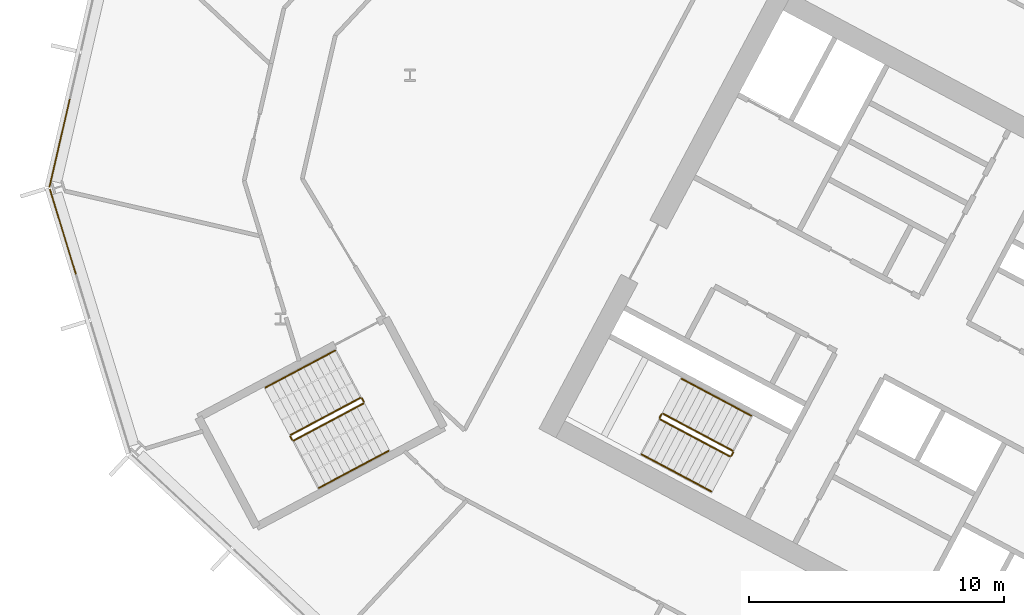
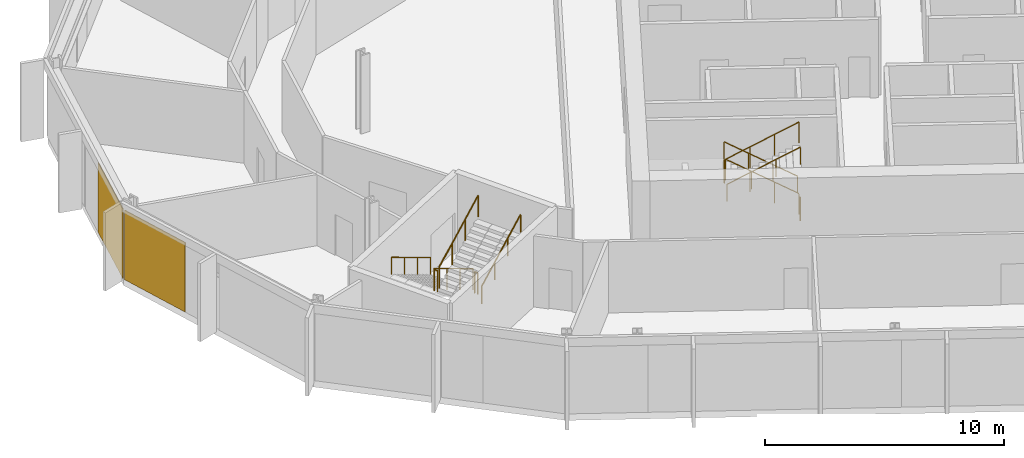
# One storey, part 21 of 28: 12 railings, 2 coverings, 2 elements without a shape of their own.
"""IFC4 building model written with IfcOpenShell, lengths in metres."""

import ifcopenshell
import ifcopenshell.guid

model = None  # the IFC model being written
_history = None  # IfcOwnerHistory: only IFC2X3 demands one
_inside = {}  # id of a spatial element -> (the spatial element, [elements in it])
_under = {}  # id of a project, library or spatial element -> (it, [spatial elements below it])
_declared = {}  # id of a project -> (the project, [libraries it declares])
_typed = {}  # id of a type object -> (the type object, [elements of that type])
_made_of = {}  # id of a material, layer set ... -> (it, [elements and type objects made of it])


def new_model(schema):
    """Start an empty IFC model of exactly this schema.

    Asked for "IFC4X3", IfcOpenShell would pick the latest addendum, in which some entities
    have other attributes; the version numbers below select the first issue.
    IFC2X3 requires an IfcOwnerHistory on every rooted entity: one is made here for all.
    """
    global model, _history
    if schema == "IFC4X3":
        model = ifcopenshell.file(schema_version=(4, 3, 0, 0))
    else:
        model = ifcopenshell.file(schema=schema)
    _inside.clear()
    _under.clear()
    _declared.clear()
    _typed.clear()
    _made_of.clear()
    _history = None
    if model.schema == "IFC2X3":
        org = make("IfcOrganization", Name="unknown")
        user = make(
            "IfcPersonAndOrganization",
            ThePerson=make("IfcPerson", FamilyName="unknown"),
            TheOrganization=org,
        )
        app = make(
            "IfcApplication",
            ApplicationDeveloper=org,
            Version="unknown",
            ApplicationFullName="unknown",
            ApplicationIdentifier="unknown",
        )
        _history = make(
            "IfcOwnerHistory",
            OwningUser=user,
            OwningApplication=app,
            ChangeAction="ADDED",
            CreationDate=0,
        )
    return model


def make(cls, **values):
    """One entity of the class cls with the attributes given. An attribute that is None is left unset."""
    return model.create_entity(
        cls, **{name: value for name, value in values.items() if value is not None}
    )


def rooted(cls, **values):
    """An entity with a GlobalId (a new one), such as an element, a storey or a relation."""
    return make(cls, GlobalId=ifcopenshell.guid.new(), OwnerHistory=_history, **values)


def si_unit(unit_type, name, prefix=None):
    """IfcSIUnit, for example si_unit("LENGTHUNIT", "METRE", prefix="MILLI")."""
    return make("IfcSIUnit", UnitType=unit_type, Prefix=prefix, Name=name)


def assignment(units):
    """IfcUnitAssignment: the units of a project."""
    return None if units is None else make("IfcUnitAssignment", Units=units)


def point(xyz):
    """IfcCartesianPoint."""
    return None if xyz is None else make("IfcCartesianPoint", Coordinates=xyz)


def direction(xyz):
    """IfcDirection."""
    return None if xyz is None else make("IfcDirection", DirectionRatios=xyz)


def frame(location, z_axis=None, x_axis=None):
    """IfcAxis2Placement3D, a coordinate frame: its origin and axes. An axis left out is left unset."""
    return make(
        "IfcAxis2Placement3D",
        Location=point(location),
        Axis=direction(z_axis),
        RefDirection=direction(x_axis),
    )


def frame_2d(location, x_axis=None):
    """IfcAxis2Placement2D, a coordinate frame in the plane: its origin and x axis."""
    return make(
        "IfcAxis2Placement2D", Location=point(location), RefDirection=direction(x_axis)
    )


def origin():
    """The frame at (0, 0, 0) with its axes left unset."""
    return frame((0.0, 0.0, 0.0))


def origin_2d():
    """The frame at (0, 0) in the plane with its x axis left unset."""
    return frame_2d((0.0, 0.0))


def place(relative_to, where):
    """IfcLocalPlacement: puts the frame where relative to a parent placement (None: the world)."""
    return make(
        "IfcLocalPlacement", PlacementRelTo=relative_to, RelativePlacement=where
    )


def context(
    kind, dimensions, precision=None, world=None, true_north=None, identifier=None
):
    """IfcGeometricRepresentationContext, for example the 3D "Model" context."""
    return make(
        "IfcGeometricRepresentationContext",
        ContextIdentifier=identifier,
        ContextType=kind,
        CoordinateSpaceDimension=dimensions,
        Precision=precision,
        WorldCoordinateSystem=world,
        TrueNorth=true_north,
    )


def subcontext(parent, identifier, kind, view, scale=None):
    """IfcGeometricRepresentationSubContext, for example "Body" below "Model"."""
    return make(
        "IfcGeometricRepresentationSubContext",
        ContextIdentifier=identifier,
        ContextType=kind,
        ParentContext=parent,
        TargetScale=scale,
        TargetView=view,
    )


def project(units=None, contexts=None):
    """IfcProject with its units and contexts."""
    return rooted(
        "IfcProject",
        Name="project",
        RepresentationContexts=contexts,
        UnitsInContext=assignment(units),
    )


def spatial(cls, under=None, at=None, **own):
    """A site, building, storey or space (cls), placed at a placement, below another one or the project."""
    s = rooted(cls, ObjectPlacement=at, **own)
    if under is not None:
        _under.setdefault(under.id(), (under, []))[1].append(s)
    return s


def polyline(points):
    """IfcPolyline through the points."""
    return make("IfcPolyline", Points=[point(p) for p in points])


def profile(cls, at=None, kind="AREA", **sizes):
    """A parametric profile (cls). Its sizes go by their IFC names, for example OverallWidth=200.0."""
    return make(cls, ProfileType=kind, Position=at, **sizes)


def rectangle(**sizes):
    """IfcRectangleProfileDef."""
    return profile("IfcRectangleProfileDef", **sizes)


def outline(outer, holes=None, kind="AREA"):
    """IfcArbitraryClosedProfileDef: a profile drawn as a closed curve; with holes, ...WithVoids."""
    if holes is None:
        return make("IfcArbitraryClosedProfileDef", ProfileType=kind, OuterCurve=outer)
    return make(
        "IfcArbitraryProfileDefWithVoids",
        ProfileType=kind,
        OuterCurve=outer,
        InnerCurves=holes,
    )


def extrude(swept, where, along, depth):
    """IfcExtrudedAreaSolid: the profile swept, set in the frame where, extruded along a direction by depth."""
    return make(
        "IfcExtrudedAreaSolid",
        SweptArea=swept,
        Position=where,
        ExtrudedDirection=direction(along),
        Depth=depth,
    )


def shape(context_of_items, identifier, shape_type, items):
    """IfcShapeRepresentation: the items that make up one representation, for example the "Body"."""
    return make(
        "IfcShapeRepresentation",
        ContextOfItems=context_of_items,
        RepresentationIdentifier=identifier,
        RepresentationType=shape_type,
        Items=items,
    )


def material(Name=None, Category=None):
    """IfcMaterial."""
    return make("IfcMaterial", Name=Name, Category=Category)


def layer(
    of_material, thickness, ventilated=None, Name=None, Category=None, Priority=None
):
    """IfcMaterialLayer: one layer of a wall or slab, of a material (None: an air gap)."""
    return make(
        "IfcMaterialLayer",
        Material=of_material,
        LayerThickness=thickness,
        IsVentilated=ventilated,
        Name=Name,
        Category=Category,
        Priority=Priority,
    )


def layer_set(layers, Name=None):
    """IfcMaterialLayerSet."""
    return make("IfcMaterialLayerSet", MaterialLayers=layers, LayerSetName=Name)


def made_of(thing, what):
    """Note that an element or type object is made of a material, layer set ...; save() writes the relation."""
    if what is not None:
        _made_of.setdefault(what.id(), (what, []))[1].append(thing)
    return thing


def type_object(cls, material=None, **own):
    """A type object (cls), such as IfcWallType, which elements share."""
    return made_of(rooted(cls, **own), material)


def element(
    cls,
    number,
    at=None,
    inside=None,
    cuts=None,
    type_object=None,
    material=None,
    context=None,
    identifier="Body",
    shape_type=None,
    held_by="IfcProductDefinitionShape",
    body=None,
    shapes=None,
    **own,
):
    """One element of the class cls, such as IfcWall. Its Tag is "e" and its number.

    at: its placement. inside: the storey or other place that contains it. cuts: it is an
    opening in that element (IfcRelVoidsElement). A single representation is given by context,
    identifier, shape_type and body (its items); several are given by shapes. held_by: the class
    of the entity that holds the representations. save() writes the other relations.
    """
    e = rooted(cls, Tag="e%d" % number, ObjectPlacement=at, **own)
    if body is not None:
        shapes = [shape(context, identifier, shape_type, body)]
    if shapes is not None:
        e.Representation = make(held_by, Representations=shapes)
    if inside is not None:
        _inside.setdefault(inside.id(), (inside, []))[1].append(e)
    if cuts is not None:
        rooted(
            "IfcRelVoidsElement", RelatingBuildingElement=cuts, RelatedOpeningElement=e
        )
    if type_object is not None:
        _typed.setdefault(type_object.id(), (type_object, []))[1].append(e)
    return made_of(e, material)


def aggregate(whole, parts):
    """IfcRelAggregates: a whole, such as a stair, and the parts it consists of."""
    return rooted("IfcRelAggregates", RelatingObject=whole, RelatedObjects=parts)


def save(model, path):
    """Write the relations noted so far, then the file.

    IfcRelAggregates (storeys below a building ...), IfcRelContainedInSpatialStructure (elements
    in a storey), IfcRelDefinesByType, IfcRelAssociatesMaterial and IfcRelDeclares: one each for
    every whole, place, type object, material and project.
    """
    for whole, parts in _under.values():
        aggregate(whole, parts)
    for where, things in _inside.values():
        rooted(
            "IfcRelContainedInSpatialStructure",
            RelatedElements=things,
            RelatingStructure=where,
        )
    for kind, things in _typed.values():
        rooted("IfcRelDefinesByType", RelatedObjects=things, RelatingType=kind)
    for what, things in _made_of.values():
        rooted("IfcRelAssociatesMaterial", RelatedObjects=things, RelatingMaterial=what)
    for by, libraries in _declared.values():
        rooted("IfcRelDeclares", RelatingContext=by, RelatedDefinitions=libraries)
    model.write(path)


model = new_model("IFC4")

# Units and contexts
model_context = context("Model", 3, precision=1e-05, world=origin(), true_north=direction((0.0, 1.0)))
body_context = subcontext(model_context, "Body", "Model", "MODEL_VIEW")
ifc_project = project(units=[si_unit("LENGTHUNIT", "METRE"), si_unit("AREAUNIT", "SQUARE_METRE"), si_unit("VOLUMEUNIT", "CUBIC_METRE"), si_unit("PLANEANGLEUNIT", "RADIAN"), si_unit("MASSUNIT", "GRAM", prefix="KILO")], contexts=[model_context])

# Site, building, storey
site_placement = place(None, origin())
site = spatial("IfcSite", under=ifc_project, at=site_placement, CompositionType="ELEMENT")
building_placement = place(site_placement, origin())
building = spatial("IfcBuilding", under=site, at=building_placement, Name="Cormorant Relay Tower", CompositionType="ELEMENT")
storey_placement = place(building_placement, frame((0.0, 0.0, 142.199951171875)))
storey = spatial("IfcBuildingStorey", under=building, at=storey_placement, Name="L29", CompositionType="ELEMENT", Elevation=142.199951171875)

# Curtain wall, covering
ifc_material_1 = material(Name="Aluminium 6063-T6 anodised bronze", Category="aluminium")
ifc_layer_1 = layer(ifc_material_1, 0.199951171875)
ifc_layer_set_1 = layer_set([ifc_layer_1], Name="CW1 unitised bronze curtain wall with vertical fins")
curtain_wall_type = type_object("IfcCurtainWallType", Name="CW1 unitised bronze curtain wall with vertical fins", PredefinedType="NOTDEFINED", material=ifc_layer_set_1)
curtain_wall_1_placement = place(storey_placement, origin())
curtain_wall_1 = element("IfcCurtainWall", 1, at=curtain_wall_1_placement, inside=storey, type_object=curtain_wall_type, Name="CW1 curtain wall 13", PredefinedType="NOTDEFINED")
ifc_material_2 = material(Name="Pale bronze anodised aluminium insulated panel", Category="aluminium")
ifc_layer_2 = layer(ifc_material_2, 0.0400390625)
ifc_layer_set_2 = layer_set([ifc_layer_2], Name="CW1 pale bronze insulated panel 40")
covering_type = type_object("IfcCoveringType", Name="CW1 pale bronze insulated panel 40", PredefinedType="CLADDING", material=ifc_layer_set_2)
covering_1_placement = place(storey_placement, frame((-60.3388671875, 22.13232421875, 0.0), z_axis=(0.0, 0.0, 1.0), x_axis=(-0.224951054344, -0.974370064785, 0.0)))
covering_1 = element("IfcCovering", 2, at=covering_1_placement, type_object=covering_type, Name="CW1 panel S02", PredefinedType="CLADDING", context=body_context, shape_type="SweptSolid", body=[
    extrude(rectangle(XDim=3.560302734375, YDim=0.0400390625, at=origin_2d()), origin(), (0.0, 0.0, 1.0), 3.550048828125),
])
aggregate(curtain_wall_1, [covering_1])

curtain_wall_2_placement = place(storey_placement, origin())
curtain_wall_2 = element("IfcCurtainWall", 3, at=curtain_wall_2_placement, inside=storey, type_object=curtain_wall_type, Name="CW1 curtain wall 14", PredefinedType="NOTDEFINED")
covering_2_placement = place(storey_placement, frame((-60.20751953125, 18.6494140625, 0.0), z_axis=(0.0, 0.0, 1.0), x_axis=(0.292371704723, -0.956304755963, 0.0)))
covering_2 = element("IfcCovering", 4, at=covering_2_placement, type_object=covering_type, Name="CW1 panel S00", PredefinedType="CLADDING", context=body_context, shape_type="SweptSolid", body=[
    extrude(rectangle(XDim=3.485107421875, YDim=0.0400390625, at=origin_2d()), origin(), (0.0, 0.0, 1.0), 3.550048828125),
])
aggregate(curtain_wall_2, [covering_2])

# Railings
ifc_material_3 = material(Name="Steel ASTM A572 Grade 50 (Fy 345 MPa)", Category="steel")
railing_type_1 = type_object("IfcRailingType", Name="Stair guard 1100", PredefinedType="GUARDRAIL", material=ifc_material_3)
railing_1_placement = place(storey_placement, frame((-33.9921875, 10.08935546875, 0.166748046875)))
element("IfcRailing", 5, at=railing_1_placement, inside=storey, type_object=railing_type_1, Name="L29 A2 stair guard 1", PredefinedType="GUARDRAIL", context=body_context, shape_type="SweptSolid", body=[
    extrude(outline(polyline([(0.022216796875, 0.00927734375), (0.00927734375, 0.022216796875), (-0.00927734375, 0.022216796875), (-0.022216796875, 0.00927734375), (-0.022216796875, -0.00927734375), (-0.00927734375, -0.022216796875), (0.00927734375, -0.022216796875), (0.022216796875, -0.00927734375), (0.022216796875, 0.00927734375)])), frame((0.0, 0.0, 1.076171875), z_axis=(-0.758713656843, 0.403434867536, 0.511462505542), x_axis=(-0.469489399267, -0.882938108802, 0.0)), (0.0, 0.0, 1.0), 3.584228515625),
    extrude(outline(polyline([(0.019287109375, 0.008056640625), (0.008056640625, 0.019287109375), (-0.008056640625, 0.019287109375), (-0.019287109375, 0.008056640625), (-0.019287109375, -0.008056640625), (-0.008056640625, -0.019287109375), (0.008056640625, -0.019287109375), (0.019287109375, -0.008056640625), (0.019287109375, 0.008056640625)])), origin(), (0.0, 0.0, 1.0), 1.052001953125),
    extrude(outline(polyline([(0.019287109375, 0.008056640625), (0.008056640625, 0.019287109375), (-0.008056640625, 0.019287109375), (-0.019287109375, 0.008056640625), (-0.019287109375, -0.008056640625), (-0.008056640625, -0.019287109375), (0.008056640625, -0.019287109375), (0.019287109375, -0.008056640625), (0.019287109375, 0.008056640625)])), frame((-0.906494140625, 0.48193359375, 0.611083984375)), (0.0, 0.0, 1.0), 1.052001953125),
    extrude(outline(polyline([(0.019287109375, 0.008056640625), (0.008056640625, 0.019287109375), (-0.008056640625, 0.019287109375), (-0.019287109375, 0.008056640625), (-0.019287109375, -0.008056640625), (-0.008056640625, -0.019287109375), (0.008056640625, -0.019287109375), (0.019287109375, -0.008056640625), (0.019287109375, 0.008056640625)])), frame((-1.81298828125, 0.964111328125, 1.22216796875)), (0.0, 0.0, 1.0), 1.052001953125),
    extrude(outline(polyline([(0.019287109375, 0.008056640625), (0.008056640625, 0.019287109375), (-0.008056640625, 0.019287109375), (-0.019287109375, 0.008056640625), (-0.019287109375, -0.008056640625), (-0.008056640625, -0.019287109375), (0.008056640625, -0.019287109375), (0.019287109375, -0.008056640625), (0.019287109375, 0.008056640625)])), frame((-2.719482421875, 1.446044921875, 1.833251953125)), (0.0, 0.0, 1.0), 1.052001953125),
])
railing_2_placement = place(storey_placement, frame((-36.779296875, 11.5146484375, 2.0)))
element("IfcRailing", 6, at=railing_2_placement, inside=storey, type_object=railing_type_1, Name="L29 A2 stair guard 2", PredefinedType="GUARDRAIL", context=body_context, shape_type="SweptSolid", body=[
    extrude(outline(polyline([(0.022216796875, 0.00927734375), (0.00927734375, 0.022216796875), (-0.00927734375, 0.022216796875), (-0.022216796875, 0.00927734375), (-0.022216796875, -0.00927734375), (-0.00927734375, -0.022216796875), (0.00927734375, -0.022216796875), (0.022216796875, -0.00927734375), (0.022216796875, 0.00927734375)])), frame((0.0, 0.0, 1.076171875), z_axis=(-0.469234640946, -0.883073525669, 0.0), x_axis=(0.883073525669, -0.469234640946, 0.0)), (0.0, 0.0, 1.0), 0.14990234375),
    extrude(outline(polyline([(0.019287109375, 0.008056640625), (0.008056640625, 0.019287109375), (-0.008056640625, 0.019287109375), (-0.019287109375, 0.008056640625), (-0.019287109375, -0.008056640625), (-0.008056640625, -0.019287109375), (0.008056640625, -0.019287109375), (0.019287109375, -0.008056640625), (0.019287109375, 0.008056640625)])), origin(), (0.0, 0.0, 1.0), 1.052001953125),
    extrude(outline(polyline([(0.019287109375, 0.008056640625), (0.008056640625, 0.019287109375), (-0.008056640625, 0.019287109375), (-0.019287109375, 0.008056640625), (-0.019287109375, -0.008056640625), (-0.008056640625, -0.019287109375), (0.008056640625, -0.019287109375), (0.019287109375, -0.008056640625), (0.019287109375, 0.008056640625)])), frame((-0.0703125, -0.13232421875, 0.0)), (0.0, 0.0, 1.0), 1.052001953125),
])
railing_3_placement = place(storey_placement, frame((-36.8291015625, 11.314697265625, 2.166748046875)))
element("IfcRailing", 7, at=railing_3_placement, inside=storey, type_object=railing_type_1, Name="L29 A2 stair guard 3", PredefinedType="GUARDRAIL", context=body_context, shape_type="SweptSolid", body=[
    extrude(outline(polyline([(0.022216796875, 0.00927734375), (0.00927734375, 0.022216796875), (-0.00927734375, 0.022216796875), (-0.022216796875, 0.00927734375), (-0.022216796875, -0.00927734375), (-0.00927734375, -0.022216796875), (0.00927734375, -0.022216796875), (0.022216796875, -0.00927734375), (0.022216796875, 0.00927734375)])), frame((0.0, 0.0, 1.076171875), z_axis=(0.758713656843, -0.403434867536, 0.511462505542), x_axis=(0.469489399267, 0.882938108802, 0.0)), (0.0, 0.0, 1.0), 3.584228515625),
    extrude(outline(polyline([(0.019287109375, 0.008056640625), (0.008056640625, 0.019287109375), (-0.008056640625, 0.019287109375), (-0.019287109375, 0.008056640625), (-0.019287109375, -0.008056640625), (-0.008056640625, -0.019287109375), (0.008056640625, -0.019287109375), (0.019287109375, -0.008056640625), (0.019287109375, 0.008056640625)])), origin(), (0.0, 0.0, 1.0), 1.052001953125),
    extrude(outline(polyline([(0.019287109375, 0.008056640625), (0.008056640625, 0.019287109375), (-0.008056640625, 0.019287109375), (-0.019287109375, 0.008056640625), (-0.019287109375, -0.008056640625), (-0.008056640625, -0.019287109375), (0.008056640625, -0.019287109375), (0.019287109375, -0.008056640625), (0.019287109375, 0.008056640625)])), frame((0.906494140625, -0.48193359375, 0.611083984375)), (0.0, 0.0, 1.0), 1.052001953125),
    extrude(outline(polyline([(0.019287109375, 0.008056640625), (0.008056640625, 0.019287109375), (-0.008056640625, 0.019287109375), (-0.019287109375, 0.008056640625), (-0.019287109375, -0.008056640625), (-0.008056640625, -0.019287109375), (0.008056640625, -0.019287109375), (0.019287109375, -0.008056640625), (0.019287109375, 0.008056640625)])), frame((1.81298828125, -0.964111328125, 1.22216796875)), (0.0, 0.0, 1.0), 1.052001953125),
    extrude(outline(polyline([(0.019287109375, 0.008056640625), (0.008056640625, 0.019287109375), (-0.008056640625, 0.019287109375), (-0.019287109375, 0.008056640625), (-0.019287109375, -0.008056640625), (-0.008056640625, -0.019287109375), (0.008056640625, -0.019287109375), (0.019287109375, -0.008056640625), (0.019287109375, 0.008056640625)])), frame((2.719482421875, -1.446044921875, 1.833251953125)), (0.0, 0.0, 1.0), 1.052001953125),
])
railing_4_placement = place(storey_placement, frame((-33.971435546875, 10.021728515625, 0.0)))
element("IfcRailing", 8, at=railing_4_placement, inside=storey, type_object=railing_type_1, Name="L29 A2 stair guard 4", PredefinedType="GUARDRAIL", context=body_context, shape_type="SweptSolid", body=[
    extrude(outline(polyline([(0.022216796875, 0.00927734375), (0.00927734375, 0.022216796875), (-0.00927734375, 0.022216796875), (-0.022216796875, 0.00927734375), (-0.022216796875, -0.00927734375), (-0.00927734375, -0.022216796875), (0.00927734375, -0.022216796875), (0.022216796875, -0.00927734375), (0.022216796875, 0.00927734375)])), frame((0.0, 0.0, 1.076171875), z_axis=(-0.470503732759, -0.882398003998, 0.0), x_axis=(0.882398003998, -0.470503732759, 0.0)), (0.0, 0.0, 1.0), 0.14990234375),
    extrude(outline(polyline([(0.019287109375, 0.008056640625), (0.008056640625, 0.019287109375), (-0.008056640625, 0.019287109375), (-0.019287109375, 0.008056640625), (-0.019287109375, -0.008056640625), (-0.008056640625, -0.019287109375), (0.008056640625, -0.019287109375), (0.019287109375, -0.008056640625), (0.019287109375, 0.008056640625)])), origin(), (0.0, 0.0, 1.0), 1.052001953125),
    extrude(outline(polyline([(0.019287109375, 0.008056640625), (0.008056640625, 0.019287109375), (-0.008056640625, 0.019287109375), (-0.019287109375, 0.008056640625), (-0.019287109375, -0.008056640625), (-0.008056640625, -0.019287109375), (0.008056640625, -0.019287109375), (0.019287109375, -0.008056640625), (0.019287109375, 0.008056640625)])), frame((-0.070556640625, -0.13232421875, 0.0)), (0.0, 0.0, 1.0), 1.052001953125),
])
railing_5_placement = place(storey_placement, frame((-48.5693359375, 12.155517578125, 0.166748046875)))
element("IfcRailing", 9, at=railing_5_placement, inside=storey, type_object=railing_type_1, Name="L29 RP1 stair guard 1", PredefinedType="GUARDRAIL", context=body_context, shape_type="SweptSolid", body=[
    extrude(outline(polyline([(0.022216796875, 0.00927734375), (0.00927734375, 0.022216796875), (-0.00927734375, 0.022216796875), (-0.022216796875, 0.00927734375), (-0.022216796875, -0.00927734375), (-0.00927734375, -0.022216796875), (0.00927734375, -0.022216796875), (0.022216796875, -0.00927734375), (0.022216796875, 0.00927734375)])), frame((0.0, 0.0, 1.076171875), z_axis=(-0.758713656843, -0.403434867536, 0.511462505542), x_axis=(0.469489399267, -0.882938108802, 0.0)), (0.0, 0.0, 1.0), 3.584228515625),
    extrude(outline(polyline([(0.019287109375, 0.008056640625), (0.008056640625, 0.019287109375), (-0.008056640625, 0.019287109375), (-0.019287109375, 0.008056640625), (-0.019287109375, -0.008056640625), (-0.008056640625, -0.019287109375), (0.008056640625, -0.019287109375), (0.019287109375, -0.008056640625), (0.019287109375, 0.008056640625)])), origin(), (0.0, 0.0, 1.0), 1.052001953125),
    extrude(outline(polyline([(0.019287109375, 0.008056640625), (0.008056640625, 0.019287109375), (-0.008056640625, 0.019287109375), (-0.019287109375, 0.008056640625), (-0.019287109375, -0.008056640625), (-0.008056640625, -0.019287109375), (0.008056640625, -0.019287109375), (0.019287109375, -0.008056640625), (0.019287109375, 0.008056640625)])), frame((-0.906494140625, -0.48193359375, 0.611083984375)), (0.0, 0.0, 1.0), 1.052001953125),
    extrude(outline(polyline([(0.019287109375, 0.008056640625), (0.008056640625, 0.019287109375), (-0.008056640625, 0.019287109375), (-0.019287109375, 0.008056640625), (-0.019287109375, -0.008056640625), (-0.008056640625, -0.019287109375), (0.008056640625, -0.019287109375), (0.019287109375, -0.008056640625), (0.019287109375, 0.008056640625)])), frame((-1.81298828125, -0.964111328125, 1.22216796875)), (0.0, 0.0, 1.0), 1.052001953125),
    extrude(outline(polyline([(0.019287109375, 0.008056640625), (0.008056640625, 0.019287109375), (-0.008056640625, 0.019287109375), (-0.019287109375, 0.008056640625), (-0.019287109375, -0.008056640625), (-0.008056640625, -0.019287109375), (0.008056640625, -0.019287109375), (0.019287109375, -0.008056640625), (0.019287109375, 0.008056640625)])), frame((-2.719482421875, -1.446044921875, 1.833251953125)), (0.0, 0.0, 1.0), 1.052001953125),
])
railing_6_placement = place(storey_placement, frame((-51.3095703125, 10.641845703125, 2.0)))
element("IfcRailing", 10, at=railing_6_placement, inside=storey, type_object=railing_type_1, Name="L29 RP1 stair guard 2", PredefinedType="GUARDRAIL", context=body_context, shape_type="SweptSolid", body=[
    extrude(outline(polyline([(0.022216796875, 0.00927734375), (0.00927734375, 0.022216796875), (-0.00927734375, 0.022216796875), (-0.022216796875, 0.00927734375), (-0.022216796875, -0.00927734375), (-0.00927734375, -0.022216796875), (0.00927734375, -0.022216796875), (0.022216796875, -0.00927734375), (0.022216796875, 0.00927734375)])), frame((0.0, 0.0, 1.076171875), z_axis=(0.469828648786, -0.882757634224, 0.0), x_axis=(0.882757634224, 0.469828648786, 0.0)), (0.0, 0.0, 1.0), 0.150146484375),
    extrude(outline(polyline([(0.019287109375, 0.008056640625), (0.008056640625, 0.019287109375), (-0.008056640625, 0.019287109375), (-0.019287109375, 0.008056640625), (-0.019287109375, -0.008056640625), (-0.008056640625, -0.019287109375), (0.008056640625, -0.019287109375), (0.019287109375, -0.008056640625), (0.019287109375, 0.008056640625)])), origin(), (0.0, 0.0, 1.0), 1.052001953125),
    extrude(outline(polyline([(0.019287109375, 0.008056640625), (0.008056640625, 0.019287109375), (-0.008056640625, 0.019287109375), (-0.019287109375, 0.008056640625), (-0.019287109375, -0.008056640625), (-0.008056640625, -0.019287109375), (0.008056640625, -0.019287109375), (0.019287109375, -0.008056640625), (0.019287109375, 0.008056640625)])), frame((0.070556640625, -0.132568359375, 0.0)), (0.0, 0.0, 1.0), 1.052001953125),
])
railing_7_placement = place(storey_placement, frame((-51.17138671875, 10.48876953125, 2.166748046875)))
element("IfcRailing", 11, at=railing_7_placement, inside=storey, type_object=railing_type_1, Name="L29 RP1 stair guard 3", PredefinedType="GUARDRAIL", context=body_context, shape_type="SweptSolid", body=[
    extrude(outline(polyline([(0.022216796875, 0.00927734375), (0.00927734375, 0.022216796875), (-0.00927734375, 0.022216796875), (-0.022216796875, 0.00927734375), (-0.022216796875, -0.00927734375), (-0.00927734375, -0.022216796875), (0.00927734375, -0.022216796875), (0.022216796875, -0.00927734375), (0.022216796875, 0.00927734375)])), frame((0.0, 0.0, 1.076171875), z_axis=(0.758734504837, 0.403377838015, 0.511476559549), x_axis=(-0.469427602063, 0.882970965786, 0.0)), (0.0, 0.0, 1.0), 3.584228515625),
    extrude(outline(polyline([(0.019287109375, 0.008056640625), (0.008056640625, 0.019287109375), (-0.008056640625, 0.019287109375), (-0.019287109375, 0.008056640625), (-0.019287109375, -0.008056640625), (-0.008056640625, -0.019287109375), (0.008056640625, -0.019287109375), (0.019287109375, -0.008056640625), (0.019287109375, 0.008056640625)])), origin(), (0.0, 0.0, 1.0), 1.052001953125),
    extrude(outline(polyline([(0.019287109375, 0.008056640625), (0.008056640625, 0.019287109375), (-0.008056640625, 0.019287109375), (-0.019287109375, 0.008056640625), (-0.019287109375, -0.008056640625), (-0.008056640625, -0.019287109375), (0.008056640625, -0.019287109375), (0.019287109375, -0.008056640625), (0.019287109375, 0.008056640625)])), frame((0.906494140625, 0.48193359375, 0.611083984375)), (0.0, 0.0, 1.0), 1.052001953125),
    extrude(outline(polyline([(0.019287109375, 0.008056640625), (0.008056640625, 0.019287109375), (-0.008056640625, 0.019287109375), (-0.019287109375, 0.008056640625), (-0.019287109375, -0.008056640625), (-0.008056640625, -0.019287109375), (0.008056640625, -0.019287109375), (0.019287109375, -0.008056640625), (0.019287109375, 0.008056640625)])), frame((1.81298828125, 0.9638671875, 1.22216796875)), (0.0, 0.0, 1.0), 1.052001953125),
    extrude(outline(polyline([(0.019287109375, 0.008056640625), (0.008056640625, 0.019287109375), (-0.008056640625, 0.019287109375), (-0.019287109375, 0.008056640625), (-0.019287109375, -0.008056640625), (-0.008056640625, -0.019287109375), (0.008056640625, -0.019287109375), (0.019287109375, -0.008056640625), (0.019287109375, 0.008056640625)])), frame((2.719482421875, 1.44580078125, 1.833251953125)), (0.0, 0.0, 1.0), 1.052001953125),
])
railing_8_placement = place(storey_placement, frame((-48.501708984375, 12.134765625, 0.0)))
element("IfcRailing", 12, at=railing_8_placement, inside=storey, type_object=railing_type_1, Name="L29 RP1 stair guard 4", PredefinedType="GUARDRAIL", context=body_context, shape_type="SweptSolid", body=[
    extrude(outline(polyline([(0.022216796875, 0.00927734375), (0.00927734375, 0.022216796875), (-0.00927734375, 0.022216796875), (-0.022216796875, 0.00927734375), (-0.022216796875, -0.00927734375), (-0.00927734375, -0.022216796875), (0.00927734375, -0.022216796875), (0.022216796875, -0.00927734375), (0.022216796875, 0.00927734375)])), frame((0.0, 0.0, 1.076171875), z_axis=(0.46856034887, -0.8834314911, 0.0), x_axis=(0.8834314911, 0.46856034887, 0.0)), (0.0, 0.0, 1.0), 0.150146484375),
    extrude(outline(polyline([(0.019287109375, 0.008056640625), (0.008056640625, 0.019287109375), (-0.008056640625, 0.019287109375), (-0.019287109375, 0.008056640625), (-0.019287109375, -0.008056640625), (-0.008056640625, -0.019287109375), (0.008056640625, -0.019287109375), (0.019287109375, -0.008056640625), (0.019287109375, 0.008056640625)])), origin(), (0.0, 0.0, 1.0), 1.052001953125),
    extrude(outline(polyline([(0.019287109375, 0.008056640625), (0.008056640625, 0.019287109375), (-0.008056640625, 0.019287109375), (-0.019287109375, 0.008056640625), (-0.019287109375, -0.008056640625), (-0.008056640625, -0.019287109375), (0.008056640625, -0.019287109375), (0.019287109375, -0.008056640625), (0.019287109375, 0.008056640625)])), frame((0.0703125, -0.132568359375, 0.0)), (0.0, 0.0, 1.0), 1.052001953125),
])
ifc_material_4 = material(Name="Steel ASTM A572 Grade 50 (Fy 345 MPa)", Category="steel")
railing_type_2 = type_object("IfcRailingType", Name="Stair handrail 900", PredefinedType="HANDRAIL", material=ifc_material_4)
railing_9_placement = place(storey_placement, frame((-33.264404296875, 11.4580078125, 0.166748046875)))
element("IfcRailing", 13, at=railing_9_placement, inside=storey, type_object=railing_type_2, Name="L29 A2 stair handrail 1", PredefinedType="HANDRAIL", context=body_context, shape_type="SweptSolid", body=[
    extrude(outline(polyline([(0.022216796875, 0.00927734375), (0.00927734375, 0.022216796875), (-0.00927734375, 0.022216796875), (-0.022216796875, 0.00927734375), (-0.022216796875, -0.00927734375), (-0.00927734375, -0.022216796875), (0.00927734375, -0.022216796875), (0.022216796875, -0.00927734375), (0.022216796875, 0.00927734375)])), frame((0.0, 0.0, 0.8759765625), z_axis=(-0.758734504837, 0.403377838015, 0.511476559549), x_axis=(-0.469427602063, -0.882970965786, 0.0)), (0.0, 0.0, 1.0), 3.584228515625),
    extrude(outline(polyline([(0.019287109375, 0.008056640625), (0.008056640625, 0.019287109375), (-0.008056640625, 0.019287109375), (-0.019287109375, 0.008056640625), (-0.019287109375, -0.008056640625), (-0.008056640625, -0.019287109375), (0.008056640625, -0.019287109375), (0.019287109375, -0.008056640625), (0.019287109375, 0.008056640625)])), origin(), (0.0, 0.0, 1.0), 0.851806640625),
    extrude(outline(polyline([(0.019287109375, 0.008056640625), (0.008056640625, 0.019287109375), (-0.008056640625, 0.019287109375), (-0.019287109375, 0.008056640625), (-0.019287109375, -0.008056640625), (-0.008056640625, -0.019287109375), (0.008056640625, -0.019287109375), (0.019287109375, -0.008056640625), (0.019287109375, 0.008056640625)])), frame((-0.906494140625, 0.48193359375, 0.611083984375)), (0.0, 0.0, 1.0), 0.851806640625),
    extrude(outline(polyline([(0.019287109375, 0.008056640625), (0.008056640625, 0.019287109375), (-0.008056640625, 0.019287109375), (-0.019287109375, 0.008056640625), (-0.019287109375, -0.008056640625), (-0.008056640625, -0.019287109375), (0.008056640625, -0.019287109375), (0.019287109375, -0.008056640625), (0.019287109375, 0.008056640625)])), frame((-1.81298828125, 0.9638671875, 1.22216796875)), (0.0, 0.0, 1.0), 0.851806640625),
    extrude(outline(polyline([(0.019287109375, 0.008056640625), (0.008056640625, 0.019287109375), (-0.008056640625, 0.019287109375), (-0.019287109375, 0.008056640625), (-0.019287109375, -0.008056640625), (-0.008056640625, -0.019287109375), (0.008056640625, -0.019287109375), (0.019287109375, -0.008056640625), (0.019287109375, 0.008056640625)])), frame((-2.719482421875, 1.44580078125, 1.833251953125)), (0.0, 0.0, 1.0), 0.851806640625),
])
railing_10_placement = place(storey_placement, frame((-37.556640625, 9.946044921875, 2.166748046875)))
element("IfcRailing", 14, at=railing_10_placement, inside=storey, type_object=railing_type_2, Name="L29 A2 stair handrail 2", PredefinedType="HANDRAIL", context=body_context, shape_type="SweptSolid", body=[
    extrude(outline(polyline([(0.022216796875, 0.00927734375), (0.00927734375, 0.022216796875), (-0.00927734375, 0.022216796875), (-0.022216796875, 0.00927734375), (-0.022216796875, -0.00927734375), (-0.00927734375, -0.022216796875), (0.00927734375, -0.022216796875), (0.022216796875, -0.00927734375), (0.022216796875, 0.00927734375)])), frame((0.0, 0.0, 0.8759765625), z_axis=(0.758713656843, -0.403434867536, 0.511462505542), x_axis=(0.469489399267, 0.882938108802, 0.0)), (0.0, 0.0, 1.0), 3.584228515625),
    extrude(outline(polyline([(0.019287109375, 0.008056640625), (0.008056640625, 0.019287109375), (-0.008056640625, 0.019287109375), (-0.019287109375, 0.008056640625), (-0.019287109375, -0.008056640625), (-0.008056640625, -0.019287109375), (0.008056640625, -0.019287109375), (0.019287109375, -0.008056640625), (0.019287109375, 0.008056640625)])), origin(), (0.0, 0.0, 1.0), 0.851806640625),
    extrude(outline(polyline([(0.019287109375, 0.008056640625), (0.008056640625, 0.019287109375), (-0.008056640625, 0.019287109375), (-0.019287109375, 0.008056640625), (-0.019287109375, -0.008056640625), (-0.008056640625, -0.019287109375), (0.008056640625, -0.019287109375), (0.019287109375, -0.008056640625), (0.019287109375, 0.008056640625)])), frame((0.906494140625, -0.48193359375, 0.611083984375)), (0.0, 0.0, 1.0), 0.851806640625),
    extrude(outline(polyline([(0.019287109375, 0.008056640625), (0.008056640625, 0.019287109375), (-0.008056640625, 0.019287109375), (-0.019287109375, 0.008056640625), (-0.019287109375, -0.008056640625), (-0.008056640625, -0.019287109375), (0.008056640625, -0.019287109375), (0.019287109375, -0.008056640625), (0.019287109375, 0.008056640625)])), frame((1.81298828125, -0.964111328125, 1.22216796875)), (0.0, 0.0, 1.0), 0.851806640625),
    extrude(outline(polyline([(0.019287109375, 0.008056640625), (0.008056640625, 0.019287109375), (-0.008056640625, 0.019287109375), (-0.019287109375, 0.008056640625), (-0.019287109375, -0.008056640625), (-0.008056640625, -0.019287109375), (0.008056640625, -0.019287109375), (0.019287109375, -0.008056640625), (0.019287109375, 0.008056640625)])), frame((2.719482421875, -1.446044921875, 1.833251953125)), (0.0, 0.0, 1.0), 0.851806640625),
])
railing_11_placement = place(storey_placement, frame((-49.55517578125, 14.009521484375, 0.166748046875)))
element("IfcRailing", 15, at=railing_11_placement, inside=storey, type_object=railing_type_2, Name="L29 RP1 stair handrail 1", PredefinedType="HANDRAIL", context=body_context, shape_type="SweptSolid", body=[
    extrude(outline(polyline([(0.022216796875, 0.00927734375), (0.00927734375, 0.022216796875), (-0.00927734375, 0.022216796875), (-0.022216796875, 0.00927734375), (-0.022216796875, -0.00927734375), (-0.00927734375, -0.022216796875), (0.00927734375, -0.022216796875), (0.022216796875, -0.00927734375), (0.022216796875, 0.00927734375)])), frame((0.0, 0.0, 0.8759765625), z_axis=(-0.758734504837, -0.403377838015, 0.511476559549), x_axis=(0.469427602063, -0.882970965786, 0.0)), (0.0, 0.0, 1.0), 3.584228515625),
    extrude(outline(polyline([(0.019287109375, 0.008056640625), (0.008056640625, 0.019287109375), (-0.008056640625, 0.019287109375), (-0.019287109375, 0.008056640625), (-0.019287109375, -0.008056640625), (-0.008056640625, -0.019287109375), (0.008056640625, -0.019287109375), (0.019287109375, -0.008056640625), (0.019287109375, 0.008056640625)])), origin(), (0.0, 0.0, 1.0), 0.851806640625),
    extrude(outline(polyline([(0.019287109375, 0.008056640625), (0.008056640625, 0.019287109375), (-0.008056640625, 0.019287109375), (-0.019287109375, 0.008056640625), (-0.019287109375, -0.008056640625), (-0.008056640625, -0.019287109375), (0.008056640625, -0.019287109375), (0.019287109375, -0.008056640625), (0.019287109375, 0.008056640625)])), frame((-0.906494140625, -0.48193359375, 0.611083984375)), (0.0, 0.0, 1.0), 0.851806640625),
    extrude(outline(polyline([(0.019287109375, 0.008056640625), (0.008056640625, 0.019287109375), (-0.008056640625, 0.019287109375), (-0.019287109375, 0.008056640625), (-0.019287109375, -0.008056640625), (-0.008056640625, -0.019287109375), (0.008056640625, -0.019287109375), (0.019287109375, -0.008056640625), (0.019287109375, 0.008056640625)])), frame((-1.81298828125, -0.9638671875, 1.22216796875)), (0.0, 0.0, 1.0), 0.851806640625),
    extrude(outline(polyline([(0.019287109375, 0.008056640625), (0.008056640625, 0.019287109375), (-0.008056640625, 0.019287109375), (-0.019287109375, 0.008056640625), (-0.019287109375, -0.008056640625), (-0.008056640625, -0.019287109375), (0.008056640625, -0.019287109375), (0.019287109375, -0.008056640625), (0.019287109375, 0.008056640625)])), frame((-2.719482421875, -1.44580078125, 1.833251953125)), (0.0, 0.0, 1.0), 0.851806640625),
])
railing_12_placement = place(storey_placement, frame((-50.185546875, 8.634521484375, 2.166748046875)))
element("IfcRailing", 16, at=railing_12_placement, inside=storey, type_object=railing_type_2, Name="L29 RP1 stair handrail 2", PredefinedType="HANDRAIL", context=body_context, shape_type="SweptSolid", body=[
    extrude(outline(polyline([(0.022216796875, 0.00927734375), (0.00927734375, 0.022216796875), (-0.00927734375, 0.022216796875), (-0.022216796875, 0.00927734375), (-0.022216796875, -0.00927734375), (-0.00927734375, -0.022216796875), (0.00927734375, -0.022216796875), (0.022216796875, -0.00927734375), (0.022216796875, 0.00927734375)])), frame((0.0, 0.0, 0.8759765625), z_axis=(0.758713656843, 0.403434867536, 0.511462505542), x_axis=(-0.469489399267, 0.882938108802, 0.0)), (0.0, 0.0, 1.0), 3.584228515625),
    extrude(outline(polyline([(0.019287109375, 0.008056640625), (0.008056640625, 0.019287109375), (-0.008056640625, 0.019287109375), (-0.019287109375, 0.008056640625), (-0.019287109375, -0.008056640625), (-0.008056640625, -0.019287109375), (0.008056640625, -0.019287109375), (0.019287109375, -0.008056640625), (0.019287109375, 0.008056640625)])), origin(), (0.0, 0.0, 1.0), 0.851806640625),
    extrude(outline(polyline([(0.019287109375, 0.008056640625), (0.008056640625, 0.019287109375), (-0.008056640625, 0.019287109375), (-0.019287109375, 0.008056640625), (-0.019287109375, -0.008056640625), (-0.008056640625, -0.019287109375), (0.008056640625, -0.019287109375), (0.019287109375, -0.008056640625), (0.019287109375, 0.008056640625)])), frame((0.906494140625, 0.48193359375, 0.611083984375)), (0.0, 0.0, 1.0), 0.851806640625),
    extrude(outline(polyline([(0.019287109375, 0.008056640625), (0.008056640625, 0.019287109375), (-0.008056640625, 0.019287109375), (-0.019287109375, 0.008056640625), (-0.019287109375, -0.008056640625), (-0.008056640625, -0.019287109375), (0.008056640625, -0.019287109375), (0.019287109375, -0.008056640625), (0.019287109375, 0.008056640625)])), frame((1.81298828125, 0.964111328125, 1.22216796875)), (0.0, 0.0, 1.0), 0.851806640625),
    extrude(outline(polyline([(0.019287109375, 0.008056640625), (0.008056640625, 0.019287109375), (-0.008056640625, 0.019287109375), (-0.019287109375, 0.008056640625), (-0.019287109375, -0.008056640625), (-0.008056640625, -0.019287109375), (0.008056640625, -0.019287109375), (0.019287109375, -0.008056640625), (0.019287109375, 0.008056640625)])), frame((2.719482421875, 1.446044921875, 1.833251953125)), (0.0, 0.0, 1.0), 0.851806640625),
])

save(model, "model.ifc")
